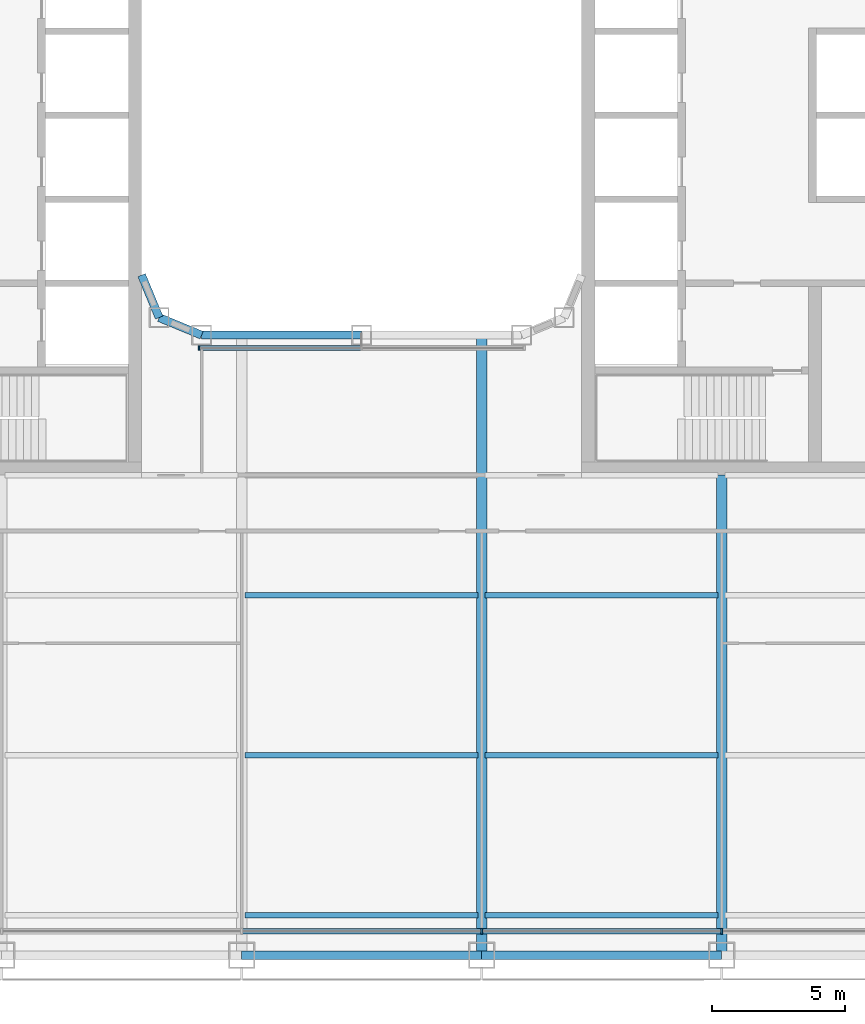
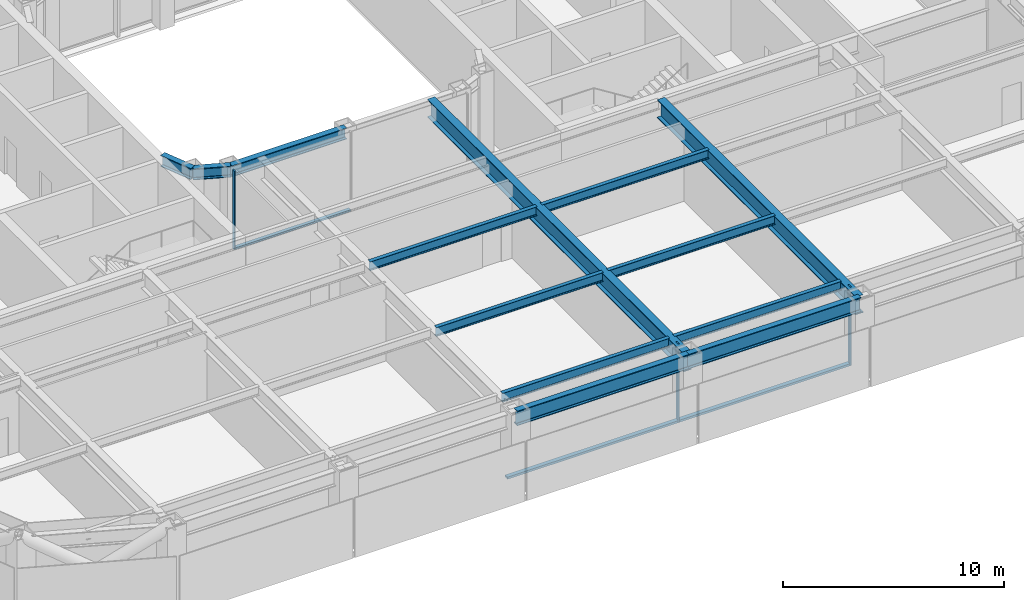
# One storey, part 3 of 25: 13 beams, 6 members, 2 elements without a shape of their own.
"""IFC4 building model written with IfcOpenShell, lengths in metres."""

import ifcopenshell
import ifcopenshell.guid

model = None  # the IFC model being written
_history = None  # IfcOwnerHistory: only IFC2X3 demands one
_inside = {}  # id of a spatial element -> (the spatial element, [elements in it])
_under = {}  # id of a project, library or spatial element -> (it, [spatial elements below it])
_declared = {}  # id of a project -> (the project, [libraries it declares])
_typed = {}  # id of a type object -> (the type object, [elements of that type])
_made_of = {}  # id of a material, layer set ... -> (it, [elements and type objects made of it])


def new_model(schema):
    """Start an empty IFC model of exactly this schema.

    Asked for "IFC4X3", IfcOpenShell would pick the latest addendum, in which some entities
    have other attributes; the version numbers below select the first issue.
    IFC2X3 requires an IfcOwnerHistory on every rooted entity: one is made here for all.
    """
    global model, _history
    if schema == "IFC4X3":
        model = ifcopenshell.file(schema_version=(4, 3, 0, 0))
    else:
        model = ifcopenshell.file(schema=schema)
    _inside.clear()
    _under.clear()
    _declared.clear()
    _typed.clear()
    _made_of.clear()
    _history = None
    if model.schema == "IFC2X3":
        org = make("IfcOrganization", Name="unknown")
        user = make(
            "IfcPersonAndOrganization",
            ThePerson=make("IfcPerson", FamilyName="unknown"),
            TheOrganization=org,
        )
        app = make(
            "IfcApplication",
            ApplicationDeveloper=org,
            Version="unknown",
            ApplicationFullName="unknown",
            ApplicationIdentifier="unknown",
        )
        _history = make(
            "IfcOwnerHistory",
            OwningUser=user,
            OwningApplication=app,
            ChangeAction="ADDED",
            CreationDate=0,
        )
    return model


def make(cls, **values):
    """One entity of the class cls with the attributes given. An attribute that is None is left unset."""
    return model.create_entity(
        cls, **{name: value for name, value in values.items() if value is not None}
    )


def rooted(cls, **values):
    """An entity with a GlobalId (a new one), such as an element, a storey or a relation."""
    return make(cls, GlobalId=ifcopenshell.guid.new(), OwnerHistory=_history, **values)


def si_unit(unit_type, name, prefix=None):
    """IfcSIUnit, for example si_unit("LENGTHUNIT", "METRE", prefix="MILLI")."""
    return make("IfcSIUnit", UnitType=unit_type, Prefix=prefix, Name=name)


def assignment(units):
    """IfcUnitAssignment: the units of a project."""
    return None if units is None else make("IfcUnitAssignment", Units=units)


def point(xyz):
    """IfcCartesianPoint."""
    return None if xyz is None else make("IfcCartesianPoint", Coordinates=xyz)


def direction(xyz):
    """IfcDirection."""
    return None if xyz is None else make("IfcDirection", DirectionRatios=xyz)


def frame(location, z_axis=None, x_axis=None):
    """IfcAxis2Placement3D, a coordinate frame: its origin and axes. An axis left out is left unset."""
    return make(
        "IfcAxis2Placement3D",
        Location=point(location),
        Axis=direction(z_axis),
        RefDirection=direction(x_axis),
    )


def frame_2d(location, x_axis=None):
    """IfcAxis2Placement2D, a coordinate frame in the plane: its origin and x axis."""
    return make(
        "IfcAxis2Placement2D", Location=point(location), RefDirection=direction(x_axis)
    )


def origin():
    """The frame at (0, 0, 0) with its axes left unset."""
    return frame((0.0, 0.0, 0.0))


def origin_2d():
    """The frame at (0, 0) in the plane with its x axis left unset."""
    return frame_2d((0.0, 0.0))


def place(relative_to, where):
    """IfcLocalPlacement: puts the frame where relative to a parent placement (None: the world)."""
    return make(
        "IfcLocalPlacement", PlacementRelTo=relative_to, RelativePlacement=where
    )


def context(
    kind, dimensions, precision=None, world=None, true_north=None, identifier=None
):
    """IfcGeometricRepresentationContext, for example the 3D "Model" context."""
    return make(
        "IfcGeometricRepresentationContext",
        ContextIdentifier=identifier,
        ContextType=kind,
        CoordinateSpaceDimension=dimensions,
        Precision=precision,
        WorldCoordinateSystem=world,
        TrueNorth=true_north,
    )


def subcontext(parent, identifier, kind, view, scale=None):
    """IfcGeometricRepresentationSubContext, for example "Body" below "Model"."""
    return make(
        "IfcGeometricRepresentationSubContext",
        ContextIdentifier=identifier,
        ContextType=kind,
        ParentContext=parent,
        TargetScale=scale,
        TargetView=view,
    )


def project(units=None, contexts=None):
    """IfcProject with its units and contexts."""
    return rooted(
        "IfcProject",
        Name="project",
        RepresentationContexts=contexts,
        UnitsInContext=assignment(units),
    )


def spatial(cls, under=None, at=None, **own):
    """A site, building, storey or space (cls), placed at a placement, below another one or the project."""
    s = rooted(cls, ObjectPlacement=at, **own)
    if under is not None:
        _under.setdefault(under.id(), (under, []))[1].append(s)
    return s


def profile(cls, at=None, kind="AREA", **sizes):
    """A parametric profile (cls). Its sizes go by their IFC names, for example OverallWidth=200.0."""
    return make(cls, ProfileType=kind, Position=at, **sizes)


def rectangle(**sizes):
    """IfcRectangleProfileDef."""
    return profile("IfcRectangleProfileDef", **sizes)


def i_section(**sizes):
    """IfcIShapeProfileDef."""
    return profile("IfcIShapeProfileDef", **sizes)


def extrude(swept, where, along, depth):
    """IfcExtrudedAreaSolid: the profile swept, set in the frame where, extruded along a direction by depth."""
    return make(
        "IfcExtrudedAreaSolid",
        SweptArea=swept,
        Position=where,
        ExtrudedDirection=direction(along),
        Depth=depth,
    )


def shape(context_of_items, identifier, shape_type, items):
    """IfcShapeRepresentation: the items that make up one representation, for example the "Body"."""
    return make(
        "IfcShapeRepresentation",
        ContextOfItems=context_of_items,
        RepresentationIdentifier=identifier,
        RepresentationType=shape_type,
        Items=items,
    )


def material(Name=None, Category=None):
    """IfcMaterial."""
    return make("IfcMaterial", Name=Name, Category=Category)


def layer(
    of_material, thickness, ventilated=None, Name=None, Category=None, Priority=None
):
    """IfcMaterialLayer: one layer of a wall or slab, of a material (None: an air gap)."""
    return make(
        "IfcMaterialLayer",
        Material=of_material,
        LayerThickness=thickness,
        IsVentilated=ventilated,
        Name=Name,
        Category=Category,
        Priority=Priority,
    )


def layer_set(layers, Name=None):
    """IfcMaterialLayerSet."""
    return make("IfcMaterialLayerSet", MaterialLayers=layers, LayerSetName=Name)


def material_profile(
    of_material, cross_section, Name=None, Category=None, Priority=None
):
    """IfcMaterialProfile: a cross section and its material."""
    return make(
        "IfcMaterialProfile",
        Name=Name,
        Material=of_material,
        Profile=cross_section,
        Priority=Priority,
        Category=Category,
    )


def profile_set(profiles, Name=None, composite=None):
    """IfcMaterialProfileSet."""
    return make(
        "IfcMaterialProfileSet",
        Name=Name,
        MaterialProfiles=profiles,
        CompositeProfile=composite,
    )


def made_of(thing, what):
    """Note that an element or type object is made of a material, layer set ...; save() writes the relation."""
    if what is not None:
        _made_of.setdefault(what.id(), (what, []))[1].append(thing)
    return thing


def type_object(cls, material=None, **own):
    """A type object (cls), such as IfcWallType, which elements share."""
    return made_of(rooted(cls, **own), material)


def element(
    cls,
    number,
    at=None,
    inside=None,
    cuts=None,
    type_object=None,
    material=None,
    context=None,
    identifier="Body",
    shape_type=None,
    held_by="IfcProductDefinitionShape",
    body=None,
    shapes=None,
    **own,
):
    """One element of the class cls, such as IfcWall. Its Tag is "e" and its number.

    at: its placement. inside: the storey or other place that contains it. cuts: it is an
    opening in that element (IfcRelVoidsElement). A single representation is given by context,
    identifier, shape_type and body (its items); several are given by shapes. held_by: the class
    of the entity that holds the representations. save() writes the other relations.
    """
    e = rooted(cls, Tag="e%d" % number, ObjectPlacement=at, **own)
    if body is not None:
        shapes = [shape(context, identifier, shape_type, body)]
    if shapes is not None:
        e.Representation = make(held_by, Representations=shapes)
    if inside is not None:
        _inside.setdefault(inside.id(), (inside, []))[1].append(e)
    if cuts is not None:
        rooted(
            "IfcRelVoidsElement", RelatingBuildingElement=cuts, RelatedOpeningElement=e
        )
    if type_object is not None:
        _typed.setdefault(type_object.id(), (type_object, []))[1].append(e)
    return made_of(e, material)


def aggregate(whole, parts):
    """IfcRelAggregates: a whole, such as a stair, and the parts it consists of."""
    return rooted("IfcRelAggregates", RelatingObject=whole, RelatedObjects=parts)


def save(model, path):
    """Write the relations noted so far, then the file.

    IfcRelAggregates (storeys below a building ...), IfcRelContainedInSpatialStructure (elements
    in a storey), IfcRelDefinesByType, IfcRelAssociatesMaterial and IfcRelDeclares: one each for
    every whole, place, type object, material and project.
    """
    for whole, parts in _under.values():
        aggregate(whole, parts)
    for where, things in _inside.values():
        rooted(
            "IfcRelContainedInSpatialStructure",
            RelatedElements=things,
            RelatingStructure=where,
        )
    for kind, things in _typed.values():
        rooted("IfcRelDefinesByType", RelatedObjects=things, RelatingType=kind)
    for what, things in _made_of.values():
        rooted("IfcRelAssociatesMaterial", RelatedObjects=things, RelatingMaterial=what)
    for by, libraries in _declared.values():
        rooted("IfcRelDeclares", RelatingContext=by, RelatedDefinitions=libraries)
    model.write(path)


model = new_model("IFC4")

# Units and contexts
model_context = context("Model", 3, precision=1e-05, world=origin(), true_north=direction((0.0, 1.0)))
body_context = subcontext(model_context, "Body", "Model", "MODEL_VIEW")
ifc_project = project(units=[si_unit("LENGTHUNIT", "METRE"), si_unit("AREAUNIT", "SQUARE_METRE"), si_unit("VOLUMEUNIT", "CUBIC_METRE"), si_unit("PLANEANGLEUNIT", "RADIAN"), si_unit("MASSUNIT", "GRAM", prefix="KILO")], contexts=[model_context])

# Site, building, storey
site_placement = place(None, origin())
site = spatial("IfcSite", under=ifc_project, at=site_placement, CompositionType="ELEMENT")
building_placement = place(site_placement, origin())
building = spatial("IfcBuilding", under=site, at=building_placement, Name="Siwar Civic Tower", CompositionType="ELEMENT")
storey_placement = place(building_placement, frame((0.0, 0.0, 58.199951171875)))
storey = spatial("IfcBuildingStorey", under=building, at=storey_placement, Name="L12", CompositionType="ELEMENT", Elevation=58.199951171875)

# Curtain wall, members
ifc_material_1 = material(Name="Aluminium and glass", Category="aluminium")
ifc_layer_1 = layer(ifc_material_1, 0.219970703125)
ifc_layer_set_1 = layer_set([ifc_layer_1], Name="Aluminium and glass")
curtain_wall_type_1 = type_object("IfcCurtainWallType", Name="ENV-CW-A", PredefinedType="NOTDEFINED", material=ifc_layer_set_1)
curtain_wall_1_placement = place(storey_placement, origin())
curtain_wall_1 = element("IfcCurtainWall", 1, at=curtain_wall_1_placement, inside=storey, type_object=curtain_wall_type_1, Name="Curtain wall A S", PredefinedType="NOTDEFINED")
ifc_material_2 = material(Name="Aluminium 6063-T6", Category="aluminium")
ifc_material_profile_1 = material_profile(ifc_material_2, rectangle(XDim=0.219970703125, YDim=0.070068359375, at=origin_2d()), Name="AL 220x70")
ifc_profile_set_1 = profile_set([ifc_material_profile_1], Name="Aluminium 6063-T6")
member_type_1 = type_object("IfcMemberType", Name="ENV-MULLION-A", PredefinedType="MULLION", material=ifc_profile_set_1)
member_1_placement = place(storey_placement, frame((4.5, -30.60009765625, 0.0), z_axis=(0.0, 0.0, 1.0), x_axis=(0.0, 1.0, 0.0)))
member_1 = element("IfcMember", 2, at=member_1_placement, type_object=member_type_1, Name="Mullion A S 4", PredefinedType="MULLION", context=body_context, shape_type="SweptSolid", body=[
    extrude(rectangle(XDim=0.219970703125, YDim=0.070068359375, at=origin_2d()), origin(), (0.0, 0.0, 1.0), 4.35009765625),
])
member_2_placement = place(storey_placement, frame((13.5, -30.60009765625, 0.0), z_axis=(0.0, 0.0, 1.0), x_axis=(0.0, 1.0, 0.0)))
member_2 = element("IfcMember", 3, at=member_2_placement, type_object=member_type_1, Name="Mullion A S 5", PredefinedType="MULLION", context=body_context, shape_type="SweptSolid", body=[
    extrude(rectangle(XDim=0.219970703125, YDim=0.070068359375, at=origin_2d()), origin(), (0.0, 0.0, 1.0), 4.35009765625),
])

# Curtain wall, member
ifc_material_3 = material(Name="Aluminium and glass", Category="aluminium")
ifc_layer_2 = layer(ifc_material_3, 0.179931640625)
ifc_layer_set_2 = layer_set([ifc_layer_2], Name="Aluminium and glass")
curtain_wall_type_2 = type_object("IfcCurtainWallType", Name="ENV-CW-W", PredefinedType="NOTDEFINED", material=ifc_layer_set_2)
curtain_wall_2_placement = place(storey_placement, origin())
curtain_wall_2 = element("IfcCurtainWall", 4, at=curtain_wall_2_placement, inside=storey, type_object=curtain_wall_type_2, Name="Curtain wall W WS", PredefinedType="NOTDEFINED")
ifc_material_4 = material(Name="Aluminium 6063-T6", Category="aluminium")
ifc_material_profile_2 = material_profile(ifc_material_4, rectangle(XDim=0.179931640625, YDim=0.06005859375, at=origin_2d()), Name="AL 180x60")
ifc_profile_set_2 = profile_set([ifc_material_profile_2], Name="Aluminium 6063-T6")
member_type_2 = type_object("IfcMemberType", Name="ENV-MULLION-W", PredefinedType="MULLION", material=ifc_profile_set_2)
member_3_placement = place(storey_placement, frame((-6.096435546875, -8.735107421875, 0.0), z_axis=(0.0, 0.0, 1.0), x_axis=(0.0, 1.0, 0.0)))
member_3 = element("IfcMember", 5, at=member_3_placement, type_object=member_type_2, Name="Mullion W WS 1", PredefinedType="MULLION", context=body_context, shape_type="SweptSolid", body=[
    extrude(rectangle(XDim=0.179931640625, YDim=0.06005859375, at=origin_2d()), origin(), (0.0, 0.0, 1.0), 4.35009765625),
])

# Member
ifc_material_5 = material(Name="Aluminium 6063-T6", Category="aluminium")
ifc_material_profile_3 = material_profile(ifc_material_5, rectangle(XDim=0.219970703125, YDim=0.1201171875, at=origin_2d()), Name="AL 220x120")
ifc_profile_set_3 = profile_set([ifc_material_profile_3], Name="Aluminium 6063-T6")
member_type_3 = type_object("IfcMemberType", Name="ENV-TRANSOM-A", PredefinedType="USERDEFINED", material=ifc_profile_set_3)
member_4_placement = place(storey_placement, frame((-4.465087890625, -30.60009765625, 0.06005859375), z_axis=(1.0, 0.0, 0.0), x_axis=(0.0, 1.0, 0.0)))
member_4 = element("IfcMember", 6, at=member_4_placement, type_object=member_type_3, Name="Transom A S 3", ObjectType="TRANSOM", PredefinedType="USERDEFINED", context=body_context, shape_type="SweptSolid", body=[
    extrude(rectangle(XDim=0.219970703125, YDim=0.1201171875, at=origin_2d()), origin(), (0.0, 0.0, 1.0), 8.93017578125),
])

member_5_placement = place(storey_placement, frame((4.534912109375, -30.60009765625, 0.06005859375), z_axis=(1.0, 0.0, 0.0), x_axis=(0.0, 1.0, 0.0)))
member_5 = element("IfcMember", 7, at=member_5_placement, type_object=member_type_3, Name="Transom A S 4", ObjectType="TRANSOM", PredefinedType="USERDEFINED", context=body_context, shape_type="SweptSolid", body=[
    extrude(rectangle(XDim=0.219970703125, YDim=0.1201171875, at=origin_2d()), origin(), (0.0, 0.0, 1.0), 8.93017578125),
])

aggregate(curtain_wall_1, [member_1, member_2, member_4, member_5])

ifc_material_6 = material(Name="Aluminium 6063-T6", Category="aluminium")
ifc_material_profile_4 = material_profile(ifc_material_6, rectangle(XDim=0.179931640625, YDim=0.10009765625, at=origin_2d()), Name="AL 180x100")
ifc_profile_set_4 = profile_set([ifc_material_profile_4], Name="Aluminium 6063-T6")
member_type_4 = type_object("IfcMemberType", Name="ENV-TRANSOM-W", PredefinedType="USERDEFINED", material=ifc_profile_set_4)
member_6_placement = place(storey_placement, frame((-6.06640625, -8.735107421875, 0.050048828125), z_axis=(1.0, 0.0, 0.0), x_axis=(0.0, 1.0, 0.0)))
member_6 = element("IfcMember", 8, at=member_6_placement, type_object=member_type_4, Name="Transom W WS 1", ObjectType="TRANSOM", PredefinedType="USERDEFINED", context=body_context, shape_type="SweptSolid", body=[
    extrude(rectangle(XDim=0.179931640625, YDim=0.10009765625, at=origin_2d()), origin(), (0.0, 0.0, 1.0), 6.036376953125),
])

aggregate(curtain_wall_2, [member_3, member_6])

# Beams
ifc_material_7 = material(Name="Steel S355", Category="steel")
ifc_material_profile_5 = material_profile(ifc_material_7, i_section(OverallWidth=0.199951171875, OverallDepth=0.5, WebThickness=0.01025390625, FlangeThickness=0.01611328125, FilletRadius=0.02099609375, at=origin_2d()), Name="IPE500")
ifc_profile_set_5 = profile_set([ifc_material_profile_5], Name="Steel S355")
beam_type_1 = type_object("IfcBeamType", Name="STR-FB-IPE500", PredefinedType="JOIST", material=ifc_profile_set_5)
for number, where, z_axis, x_axis, name in (
    (9, (-4.3701171875, -30.0, 4.10009765625), (1.0, 0.0, 0.0), (0.0, 1.0, 0.0), "L12/bm/F004"),
    (10, (4.6298828125, -30.0, 4.10009765625), (1.0, 0.0, 0.0), (0.0, 1.0, 0.0), "L12/bm/F005"),
    (11, (-4.3701171875, -24.0, 4.10009765625), (1.0, 0.0, 0.0), (0.0, 1.0, 0.0), "L12/bm/F011"),
    (12, (4.6298828125, -24.0, 4.10009765625), (1.0, 0.0, 0.0), (0.0, 1.0, 0.0), "L12/bm/F012"),
    (13, (-4.3701171875, -18.0, 4.10009765625), (1.0, 0.0, 0.0), (0.0, 1.0, 0.0), "L12/bm/F018"),
    (14, (4.6298828125, -18.0, 4.10009765625), (1.0, 0.0, 0.0), (0.0, 1.0, 0.0), "L12/bm/F019"),
):
    element("IfcBeam", number, at=place(storey_placement, frame(where, z_axis=z_axis, x_axis=x_axis)), inside=storey, type_object=beam_type_1, Name=name, PredefinedType="JOIST", context=body_context, shape_type="SweptSolid", body=[
        extrude(i_section(OverallWidth=0.199951171875, OverallDepth=0.5, WebThickness=0.01025390625, FlangeThickness=0.01611328125, FilletRadius=0.02099609375, at=origin_2d()), origin(), (0.0, 0.0, 1.0), 8.740234375),
    ])
ifc_material_8 = material(Name="Steel S355", Category="steel")
ifc_material_profile_6 = material_profile(ifc_material_8, i_section(OverallWidth=0.39990234375, OverallDepth=1.0, WebThickness=0.01611328125, FlangeThickness=0.0400390625, at=origin_2d()), Name="PG1000x400x16x40")
ifc_profile_set_6 = profile_set([ifc_material_profile_6], Name="Steel S355")
beam_type_2 = type_object("IfcBeamType", Name="STR-PG-PG1000x400x16x40", PredefinedType="BEAM", material=ifc_profile_set_6)
beam_1_placement = place(storey_placement, frame((4.5, -31.5, 3.85009765625), z_axis=(0.0, 1.0, 0.0), x_axis=(-1.0, 0.0, 0.0)))
element("IfcBeam", 15, at=beam_1_placement, inside=storey, type_object=beam_type_2, Name="L12/bm/G07", PredefinedType="BEAM", context=body_context, shape_type="SweptSolid", body=[
    extrude(i_section(OverallWidth=0.39990234375, OverallDepth=1.0, WebThickness=0.01611328125, FlangeThickness=0.0400390625, at=origin_2d()), origin(), (0.0, 0.0, 1.0), 23.25),
])
beam_2_placement = place(storey_placement, frame((13.5, -31.5, 3.85009765625), z_axis=(0.0, 1.0, 0.0), x_axis=(-1.0, 0.0, 0.0)))
element("IfcBeam", 16, at=beam_2_placement, inside=storey, type_object=beam_type_2, Name="L12/bm/G09", PredefinedType="BEAM", context=body_context, shape_type="SweptSolid", body=[
    extrude(i_section(OverallWidth=0.39990234375, OverallDepth=1.0, WebThickness=0.01611328125, FlangeThickness=0.0400390625, at=origin_2d()), origin(), (0.0, 0.0, 1.0), 18.0),
])
ifc_material_9 = material(Name="Steel S355", Category="steel")
ifc_material_profile_7 = material_profile(ifc_material_9, i_section(OverallWidth=0.304931640625, OverallDepth=0.6201171875, WebThickness=0.02099609375, FlangeThickness=0.0400390625, FilletRadius=0.027099609375, at=origin_2d()), Name="HEM600")
ifc_profile_set_7 = profile_set([ifc_material_profile_7], Name="Steel S355")
beam_type_3 = type_object("IfcBeamType", Name="STR-RB-HEM600", PredefinedType="BEAM", material=ifc_profile_set_7)
beam_3_placement = place(storey_placement, frame((-7.591064453125, -7.591064453125, 4.0400390625), z_axis=(0.923901072997, -0.382631424892, 0.0), x_axis=(0.382631424892, 0.923901072997, 0.0)))
element("IfcBeam", 17, at=beam_3_placement, inside=storey, type_object=beam_type_3, Name="L12/bm/RS0", PredefinedType="BEAM", context=body_context, shape_type="SweptSolid", body=[
    extrude(i_section(OverallWidth=0.304931640625, OverallDepth=0.6201171875, WebThickness=0.02099609375, FlangeThickness=0.0400390625, FilletRadius=0.027099609375, at=origin_2d()), origin(), (0.0, 0.0, 1.0), 1.72216796875),
])
beam_4_placement = place(storey_placement, frame((-6.0, -8.25, 4.0400390625), z_axis=(1.0, 0.0, 0.0), x_axis=(0.0, 1.0, 0.0)))
element("IfcBeam", 18, at=beam_4_placement, inside=storey, type_object=beam_type_3, Name="L12/bm/RS1", PredefinedType="BEAM", context=body_context, shape_type="SweptSolid", body=[
    extrude(i_section(OverallWidth=0.304931640625, OverallDepth=0.6201171875, WebThickness=0.02099609375, FlangeThickness=0.0400390625, FilletRadius=0.027099609375, at=origin_2d()), origin(), (0.0, 0.0, 1.0), 6.0),
])
beam_5_placement = place(storey_placement, frame((-7.591064453125, -7.591064453125, 4.0400390625), z_axis=(-0.382631424892, 0.923901072997, 0.0), x_axis=(-0.923901072997, -0.382631424892, 0.0)))
element("IfcBeam", 19, at=beam_5_placement, inside=storey, type_object=beam_type_3, Name="L12/bm/RSEW", PredefinedType="BEAM", context=body_context, shape_type="SweptSolid", body=[
    extrude(i_section(OverallWidth=0.304931640625, OverallDepth=0.6201171875, WebThickness=0.02099609375, FlangeThickness=0.0400390625, FilletRadius=0.027099609375, at=origin_2d()), origin(), (0.0, 0.0, 1.0), 1.72216796875),
])
ifc_material_10 = material(Name="Steel S355", Category="steel")
ifc_material_profile_8 = material_profile(ifc_material_10, i_section(OverallWidth=0.302978515625, OverallDepth=0.81396484375, WebThickness=0.02099609375, FlangeThickness=0.0400390625, FilletRadius=0.030029296875, at=origin_2d()), Name="HEM800")
ifc_profile_set_8 = profile_set([ifc_material_profile_8], Name="Steel S355")
beam_type_4 = type_object("IfcBeamType", Name="STR-SB-HEM800", PredefinedType="BEAM", material=ifc_profile_set_8)
for number, where, z_axis, x_axis, name in (
    (20, (-4.5, -31.5, 3.943115234375), (1.0, 0.0, 0.0), (0.0, 1.0, 0.0), "L12/bm/SS-2"),
    (21, (4.5, -31.5, 3.943115234375), (1.0, 0.0, 0.0), (0.0, 1.0, 0.0), "L12/bm/SS-3"),
):
    element("IfcBeam", number, at=place(storey_placement, frame(where, z_axis=z_axis, x_axis=x_axis)), inside=storey, type_object=beam_type_4, Name=name, PredefinedType="BEAM", context=body_context, shape_type="SweptSolid", body=[
        extrude(i_section(OverallWidth=0.302978515625, OverallDepth=0.81396484375, WebThickness=0.02099609375, FlangeThickness=0.0400390625, FilletRadius=0.030029296875, at=origin_2d()), origin(), (0.0, 0.0, 1.0), 9.0),
    ])

save(model, "model.ifc")
